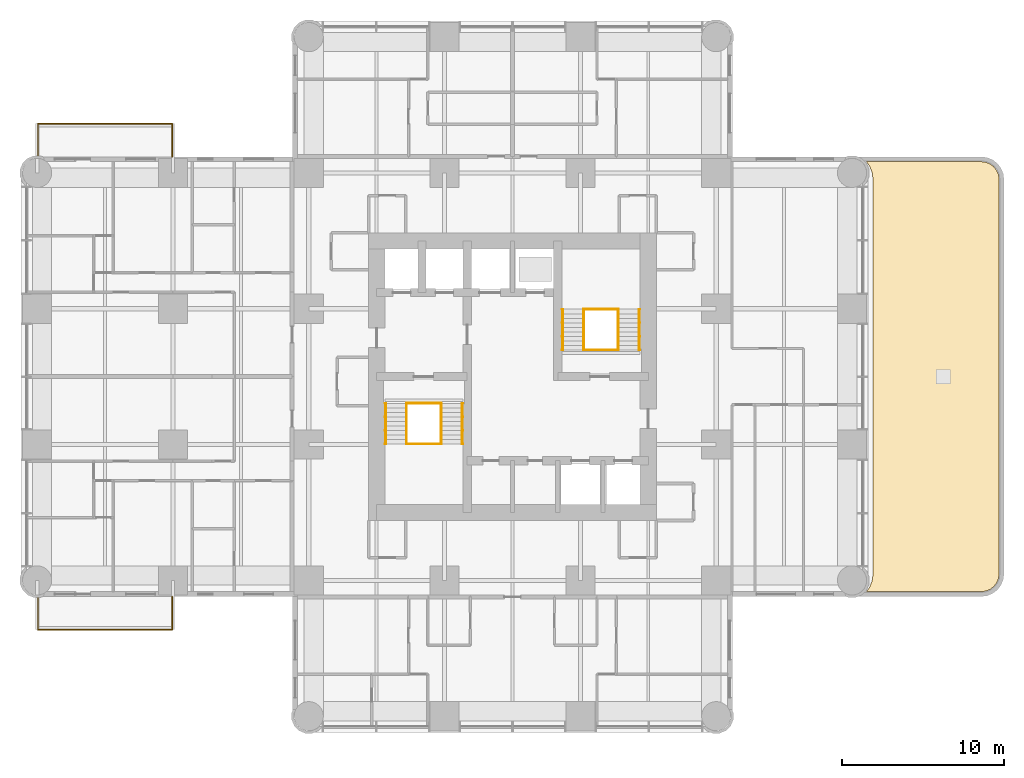
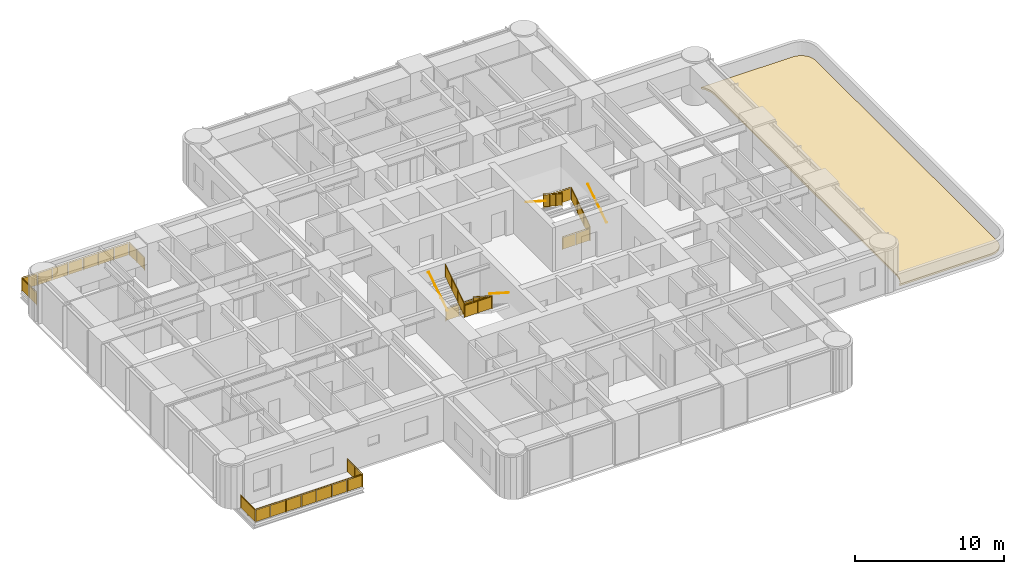
# One storey, part 11 of 12: 14 railings, 1 covering.
"""IFC4 building model written with IfcOpenShell, lengths in metres."""

import ifcopenshell
import ifcopenshell.guid

model = None  # the IFC model being written
_history = None  # IfcOwnerHistory: only IFC2X3 demands one
_inside = {}  # id of a spatial element -> (the spatial element, [elements in it])
_under = {}  # id of a project, library or spatial element -> (it, [spatial elements below it])
_declared = {}  # id of a project -> (the project, [libraries it declares])
_typed = {}  # id of a type object -> (the type object, [elements of that type])
_made_of = {}  # id of a material, layer set ... -> (it, [elements and type objects made of it])


def new_model(schema):
    """Start an empty IFC model of exactly this schema.

    Asked for "IFC4X3", IfcOpenShell would pick the latest addendum, in which some entities
    have other attributes; the version numbers below select the first issue.
    IFC2X3 requires an IfcOwnerHistory on every rooted entity: one is made here for all.
    """
    global model, _history
    if schema == "IFC4X3":
        model = ifcopenshell.file(schema_version=(4, 3, 0, 0))
    else:
        model = ifcopenshell.file(schema=schema)
    _inside.clear()
    _under.clear()
    _declared.clear()
    _typed.clear()
    _made_of.clear()
    _history = None
    if model.schema == "IFC2X3":
        org = make("IfcOrganization", Name="unknown")
        user = make(
            "IfcPersonAndOrganization",
            ThePerson=make("IfcPerson", FamilyName="unknown"),
            TheOrganization=org,
        )
        app = make(
            "IfcApplication",
            ApplicationDeveloper=org,
            Version="unknown",
            ApplicationFullName="unknown",
            ApplicationIdentifier="unknown",
        )
        _history = make(
            "IfcOwnerHistory",
            OwningUser=user,
            OwningApplication=app,
            ChangeAction="ADDED",
            CreationDate=0,
        )
    return model


def make(cls, **values):
    """One entity of the class cls with the attributes given. An attribute that is None is left unset."""
    return model.create_entity(
        cls, **{name: value for name, value in values.items() if value is not None}
    )


def rooted(cls, **values):
    """An entity with a GlobalId (a new one), such as an element, a storey or a relation."""
    return make(cls, GlobalId=ifcopenshell.guid.new(), OwnerHistory=_history, **values)


def si_unit(unit_type, name, prefix=None):
    """IfcSIUnit, for example si_unit("LENGTHUNIT", "METRE", prefix="MILLI")."""
    return make("IfcSIUnit", UnitType=unit_type, Prefix=prefix, Name=name)


def assignment(units):
    """IfcUnitAssignment: the units of a project."""
    return None if units is None else make("IfcUnitAssignment", Units=units)


def point(xyz):
    """IfcCartesianPoint."""
    return None if xyz is None else make("IfcCartesianPoint", Coordinates=xyz)


def direction(xyz):
    """IfcDirection."""
    return None if xyz is None else make("IfcDirection", DirectionRatios=xyz)


def frame(location, z_axis=None, x_axis=None):
    """IfcAxis2Placement3D, a coordinate frame: its origin and axes. An axis left out is left unset."""
    return make(
        "IfcAxis2Placement3D",
        Location=point(location),
        Axis=direction(z_axis),
        RefDirection=direction(x_axis),
    )


def frame_2d(location, x_axis=None):
    """IfcAxis2Placement2D, a coordinate frame in the plane: its origin and x axis."""
    return make(
        "IfcAxis2Placement2D", Location=point(location), RefDirection=direction(x_axis)
    )


def origin():
    """The frame at (0, 0, 0) with its axes left unset."""
    return frame((0.0, 0.0, 0.0))


def origin_2d():
    """The frame at (0, 0) in the plane with its x axis left unset."""
    return frame_2d((0.0, 0.0))


def place(relative_to, where):
    """IfcLocalPlacement: puts the frame where relative to a parent placement (None: the world)."""
    return make(
        "IfcLocalPlacement", PlacementRelTo=relative_to, RelativePlacement=where
    )


def context(
    kind, dimensions, precision=None, world=None, true_north=None, identifier=None
):
    """IfcGeometricRepresentationContext, for example the 3D "Model" context."""
    return make(
        "IfcGeometricRepresentationContext",
        ContextIdentifier=identifier,
        ContextType=kind,
        CoordinateSpaceDimension=dimensions,
        Precision=precision,
        WorldCoordinateSystem=world,
        TrueNorth=true_north,
    )


def subcontext(parent, identifier, kind, view, scale=None):
    """IfcGeometricRepresentationSubContext, for example "Body" below "Model"."""
    return make(
        "IfcGeometricRepresentationSubContext",
        ContextIdentifier=identifier,
        ContextType=kind,
        ParentContext=parent,
        TargetScale=scale,
        TargetView=view,
    )


def project(units=None, contexts=None):
    """IfcProject with its units and contexts."""
    return rooted(
        "IfcProject",
        Name="project",
        RepresentationContexts=contexts,
        UnitsInContext=assignment(units),
    )


def spatial(cls, under=None, at=None, **own):
    """A site, building, storey or space (cls), placed at a placement, below another one or the project."""
    s = rooted(cls, ObjectPlacement=at, **own)
    if under is not None:
        _under.setdefault(under.id(), (under, []))[1].append(s)
    return s


def polyline(points):
    """IfcPolyline through the points."""
    return make("IfcPolyline", Points=[point(p) for p in points])


def profile(cls, at=None, kind="AREA", **sizes):
    """A parametric profile (cls). Its sizes go by their IFC names, for example OverallWidth=200.0."""
    return make(cls, ProfileType=kind, Position=at, **sizes)


def circle(**sizes):
    """IfcCircleProfileDef."""
    return profile("IfcCircleProfileDef", **sizes)


def outline(outer, holes=None, kind="AREA"):
    """IfcArbitraryClosedProfileDef: a profile drawn as a closed curve; with holes, ...WithVoids."""
    if holes is None:
        return make("IfcArbitraryClosedProfileDef", ProfileType=kind, OuterCurve=outer)
    return make(
        "IfcArbitraryProfileDefWithVoids",
        ProfileType=kind,
        OuterCurve=outer,
        InnerCurves=holes,
    )


def extrude(swept, where, along, depth):
    """IfcExtrudedAreaSolid: the profile swept, set in the frame where, extruded along a direction by depth."""
    return make(
        "IfcExtrudedAreaSolid",
        SweptArea=swept,
        Position=where,
        ExtrudedDirection=direction(along),
        Depth=depth,
    )


def shape(context_of_items, identifier, shape_type, items):
    """IfcShapeRepresentation: the items that make up one representation, for example the "Body"."""
    return make(
        "IfcShapeRepresentation",
        ContextOfItems=context_of_items,
        RepresentationIdentifier=identifier,
        RepresentationType=shape_type,
        Items=items,
    )


def material(Name=None, Category=None):
    """IfcMaterial."""
    return make("IfcMaterial", Name=Name, Category=Category)


def layer(
    of_material, thickness, ventilated=None, Name=None, Category=None, Priority=None
):
    """IfcMaterialLayer: one layer of a wall or slab, of a material (None: an air gap)."""
    return make(
        "IfcMaterialLayer",
        Material=of_material,
        LayerThickness=thickness,
        IsVentilated=ventilated,
        Name=Name,
        Category=Category,
        Priority=Priority,
    )


def layer_set(layers, Name=None):
    """IfcMaterialLayerSet."""
    return make("IfcMaterialLayerSet", MaterialLayers=layers, LayerSetName=Name)


def constituent(of_material, Name=None, Category=None, fraction=None):
    """IfcMaterialConstituent: one of the materials an element consists of."""
    return make(
        "IfcMaterialConstituent",
        Name=Name,
        Material=of_material,
        Fraction=fraction,
        Category=Category,
    )


def constituent_set(constituents=None, Name=None):
    """IfcMaterialConstituentSet."""
    return make(
        "IfcMaterialConstituentSet", Name=Name, MaterialConstituents=constituents
    )


def made_of(thing, what):
    """Note that an element or type object is made of a material, layer set ...; save() writes the relation."""
    if what is not None:
        _made_of.setdefault(what.id(), (what, []))[1].append(thing)
    return thing


def type_object(cls, material=None, **own):
    """A type object (cls), such as IfcWallType, which elements share."""
    return made_of(rooted(cls, **own), material)


def element(
    cls,
    number,
    at=None,
    inside=None,
    cuts=None,
    type_object=None,
    material=None,
    context=None,
    identifier="Body",
    shape_type=None,
    held_by="IfcProductDefinitionShape",
    body=None,
    shapes=None,
    **own,
):
    """One element of the class cls, such as IfcWall. Its Tag is "e" and its number.

    at: its placement. inside: the storey or other place that contains it. cuts: it is an
    opening in that element (IfcRelVoidsElement). A single representation is given by context,
    identifier, shape_type and body (its items); several are given by shapes. held_by: the class
    of the entity that holds the representations. save() writes the other relations.
    """
    e = rooted(cls, Tag="e%d" % number, ObjectPlacement=at, **own)
    if body is not None:
        shapes = [shape(context, identifier, shape_type, body)]
    if shapes is not None:
        e.Representation = make(held_by, Representations=shapes)
    if inside is not None:
        _inside.setdefault(inside.id(), (inside, []))[1].append(e)
    if cuts is not None:
        rooted(
            "IfcRelVoidsElement", RelatingBuildingElement=cuts, RelatedOpeningElement=e
        )
    if type_object is not None:
        _typed.setdefault(type_object.id(), (type_object, []))[1].append(e)
    return made_of(e, material)


def aggregate(whole, parts):
    """IfcRelAggregates: a whole, such as a stair, and the parts it consists of."""
    return rooted("IfcRelAggregates", RelatingObject=whole, RelatedObjects=parts)


def save(model, path):
    """Write the relations noted so far, then the file.

    IfcRelAggregates (storeys below a building ...), IfcRelContainedInSpatialStructure (elements
    in a storey), IfcRelDefinesByType, IfcRelAssociatesMaterial and IfcRelDeclares: one each for
    every whole, place, type object, material and project.
    """
    for whole, parts in _under.values():
        aggregate(whole, parts)
    for where, things in _inside.values():
        rooted(
            "IfcRelContainedInSpatialStructure",
            RelatedElements=things,
            RelatingStructure=where,
        )
    for kind, things in _typed.values():
        rooted("IfcRelDefinesByType", RelatedObjects=things, RelatingType=kind)
    for what, things in _made_of.values():
        rooted("IfcRelAssociatesMaterial", RelatedObjects=things, RelatingMaterial=what)
    for by, libraries in _declared.values():
        rooted("IfcRelDeclares", RelatingContext=by, RelatedDefinitions=libraries)
    model.write(path)


model = new_model("IFC4")

# Units and contexts
model_context = context("Model", 3, precision=1e-05, world=origin(), true_north=direction((0.0, 1.0)))
body_context = subcontext(model_context, "Body", "Model", "MODEL_VIEW")
ifc_project = project(units=[si_unit("LENGTHUNIT", "METRE"), si_unit("AREAUNIT", "SQUARE_METRE"), si_unit("VOLUMEUNIT", "CUBIC_METRE"), si_unit("PLANEANGLEUNIT", "RADIAN"), si_unit("MASSUNIT", "GRAM", prefix="KILO")], contexts=[model_context])

# Site, building, storey
site_placement = place(None, origin())
site = spatial("IfcSite", under=ifc_project, at=site_placement, CompositionType="ELEMENT")
building_placement = place(site_placement, origin())
building = spatial("IfcBuilding", under=site, at=building_placement, Name="Torre Alcanfor", CompositionType="ELEMENT")
storey_placement = place(building_placement, frame((0.0, 0.0, 183.300048828125)))
storey = spatial("IfcBuildingStorey", under=building, at=storey_placement, Name="L47", CompositionType="ELEMENT", Elevation=183.300048828125)

# Railings
ifc_material_1 = material(Name="Laminated safety glass", Category="glass")
ifc_constituent_1 = constituent(ifc_material_1, Name="Infill")
ifc_material_2 = material(Name="Stainless steel ASTM A554 Grade MT 316L tube", Category="steel")
ifc_constituent_2 = constituent(ifc_material_2, Name="Posts and rail")
ifc_constituent_set = constituent_set(constituents=[ifc_constituent_1, ifc_constituent_2], Name="Balcony guard glass 1100")
railing_type_1 = type_object("IfcRailingType", Name="Balcony guard glass 1100", PredefinedType="BALUSTRADE", material=ifc_constituent_set)
railing_1_placement = place(storey_placement, frame((8.35009765625, 15.800048828125, 0.0)))
element("IfcRailing", 1, at=railing_1_placement, inside=storey, type_object=railing_type_1, Name="Balcony guard L47-W1", PredefinedType="BALUSTRADE", context=body_context, shape_type="SweptSolid", body=[
    extrude(circle(Radius=0.02392578125, at=origin_2d()), frame((0.0, 0.0, 1.076171875), z_axis=(0.0, -1.0, 0.0), x_axis=(1.0, 0.0, 0.0)), (0.0, 0.0, 1.0), 2.050048828125),
    extrude(circle(Radius=0.02392578125, at=origin_2d()), frame((0.0, -2.050048828125, 1.076171875), z_axis=(-1.0, 0.0, 0.0), x_axis=(0.0, -1.0, 0.0)), (0.0, 0.0, 1.0), 8.300048828125),
    extrude(circle(Radius=0.02392578125, at=origin_2d()), frame((-8.300048828125, -2.050048828125, 1.076171875), z_axis=(0.0, 1.0, 0.0), x_axis=(-1.0, 0.0, 0.0)), (0.0, 0.0, 1.0), 1.968994140625),
    extrude(circle(Radius=0.02099609375, at=origin_2d()), origin(), (0.0, 0.0, 1.0), 1.052001953125),
    extrude(circle(Radius=0.02099609375, at=origin_2d()), frame((0.0, -1.02490234375, 0.0)), (0.0, 0.0, 1.0), 1.052001953125),
    extrude(circle(Radius=0.02099609375, at=origin_2d()), frame((0.0, -2.050048828125, 0.0)), (0.0, 0.0, 1.0), 1.052001953125),
    extrude(circle(Radius=0.02099609375, at=origin_2d()), frame((-1.185791015625, -2.050048828125, 0.0)), (0.0, 0.0, 1.0), 1.052001953125),
    extrude(circle(Radius=0.02099609375, at=origin_2d()), frame((-2.371337890625, -2.050048828125, 0.0)), (0.0, 0.0, 1.0), 1.052001953125),
    extrude(circle(Radius=0.02099609375, at=origin_2d()), frame((-3.55712890625, -2.050048828125, 0.0)), (0.0, 0.0, 1.0), 1.052001953125),
    extrude(circle(Radius=0.02099609375, at=origin_2d()), frame((-4.742919921875, -2.050048828125, 0.0)), (0.0, 0.0, 1.0), 1.052001953125),
    extrude(circle(Radius=0.02099609375, at=origin_2d()), frame((-5.9287109375, -2.050048828125, 0.0)), (0.0, 0.0, 1.0), 1.052001953125),
    extrude(circle(Radius=0.02099609375, at=origin_2d()), frame((-7.1142578125, -2.050048828125, 0.0)), (0.0, 0.0, 1.0), 1.052001953125),
    extrude(circle(Radius=0.02099609375, at=origin_2d()), frame((-8.300048828125, -2.050048828125, 0.0)), (0.0, 0.0, 1.0), 1.052001953125),
    extrude(circle(Radius=0.02099609375, at=origin_2d()), frame((-8.300048828125, -1.0654296875, 0.0)), (0.0, 0.0, 1.0), 1.052001953125),
    extrude(circle(Radius=0.02099609375, at=origin_2d()), frame((-8.300048828125, -0.0810546875, 0.0)), (0.0, 0.0, 1.0), 1.052001953125),
    extrude(outline(polyline([(0.041015625, 0.050048828125), (0.984130859375, 0.050048828125), (0.984130859375, 1.001953125), (0.041015625, 1.001953125), (0.041015625, 0.050048828125)])), frame((0.005859375, 0.0, 0.0), z_axis=(-1.0, 0.0, 0.0), x_axis=(0.0, -1.0, 0.0)), (0.0, 0.0, 1.0), 0.011962890625),
    extrude(outline(polyline([(1.06591796875, 0.050048828125), (2.009033203125, 0.050048828125), (2.009033203125, 1.001953125), (1.06591796875, 1.001953125), (1.06591796875, 0.050048828125)])), frame((0.005859375, 0.0, 0.0), z_axis=(-1.0, 0.0, 0.0), x_axis=(0.0, -1.0, 0.0)), (0.0, 0.0, 1.0), 0.011962890625),
    extrude(outline(polyline([(0.041015625, 0.050048828125), (1.144775390625, 0.050048828125), (1.144775390625, 1.001953125), (0.041015625, 1.001953125), (0.041015625, 0.050048828125)])), frame((0.0, -2.05615234375, 0.0), z_axis=(0.0, 1.0, 0.0), x_axis=(-1.0, 0.0, 0.0)), (0.0, 0.0, 1.0), 0.011962890625),
    extrude(outline(polyline([(1.226806640625, 0.050048828125), (2.330322265625, 0.050048828125), (2.330322265625, 1.001953125), (1.226806640625, 1.001953125), (1.226806640625, 0.050048828125)])), frame((0.0, -2.05615234375, 0.0), z_axis=(0.0, 1.0, 0.0), x_axis=(-1.0, 0.0, 0.0)), (0.0, 0.0, 1.0), 0.011962890625),
    extrude(outline(polyline([(2.412353515625, 0.050048828125), (3.51611328125, 0.050048828125), (3.51611328125, 1.001953125), (2.412353515625, 1.001953125), (2.412353515625, 0.050048828125)])), frame((0.0, -2.05615234375, 0.0), z_axis=(0.0, 1.0, 0.0), x_axis=(-1.0, 0.0, 0.0)), (0.0, 0.0, 1.0), 0.011962890625),
    extrude(outline(polyline([(3.59814453125, 0.050048828125), (4.701904296875, 0.050048828125), (4.701904296875, 1.001953125), (3.59814453125, 1.001953125), (3.59814453125, 0.050048828125)])), frame((0.0, -2.05615234375, 0.0), z_axis=(0.0, 1.0, 0.0), x_axis=(-1.0, 0.0, 0.0)), (0.0, 0.0, 1.0), 0.011962890625),
    extrude(outline(polyline([(4.783935546875, 0.050048828125), (5.8876953125, 0.050048828125), (5.8876953125, 1.001953125), (4.783935546875, 1.001953125), (4.783935546875, 0.050048828125)])), frame((0.0, -2.05615234375, 0.0), z_axis=(0.0, 1.0, 0.0), x_axis=(-1.0, 0.0, 0.0)), (0.0, 0.0, 1.0), 0.011962890625),
    extrude(outline(polyline([(5.9697265625, 0.050048828125), (7.0732421875, 0.050048828125), (7.0732421875, 1.001953125), (5.9697265625, 1.001953125), (5.9697265625, 0.050048828125)])), frame((0.0, -2.05615234375, 0.0), z_axis=(0.0, 1.0, 0.0), x_axis=(-1.0, 0.0, 0.0)), (0.0, 0.0, 1.0), 0.011962890625),
    extrude(outline(polyline([(7.1552734375, 0.050048828125), (8.259033203125, 0.050048828125), (8.259033203125, 1.001953125), (7.1552734375, 1.001953125), (7.1552734375, 0.050048828125)])), frame((0.0, -2.05615234375, 0.0), z_axis=(0.0, 1.0, 0.0), x_axis=(-1.0, 0.0, 0.0)), (0.0, 0.0, 1.0), 0.011962890625),
    extrude(outline(polyline([(0.041015625, 0.050048828125), (0.943603515625, 0.050048828125), (0.943603515625, 1.001953125), (0.041015625, 1.001953125), (0.041015625, 0.050048828125)])), frame((-8.30615234375, -2.050048828125, 0.0), z_axis=(1.0, 0.0, 0.0), x_axis=(0.0, 1.0, 0.0)), (0.0, 0.0, 1.0), 0.011962890625),
    extrude(outline(polyline([(1.025390625, 0.050048828125), (1.927978515625, 0.050048828125), (1.927978515625, 1.001953125), (1.025390625, 1.001953125), (1.025390625, 0.050048828125)])), frame((-8.30615234375, -2.050048828125, 0.0), z_axis=(1.0, 0.0, 0.0), x_axis=(0.0, 1.0, 0.0)), (0.0, 0.0, 1.0), 0.011962890625),
])
railing_2_placement = place(storey_placement, frame((8.35009765625, 43.0, 0.0)))
element("IfcRailing", 2, at=railing_2_placement, inside=storey, type_object=railing_type_1, Name="Balcony guard L47-W2", PredefinedType="BALUSTRADE", context=body_context, shape_type="SweptSolid", body=[
    extrude(circle(Radius=0.02392578125, at=origin_2d()), frame((0.0, 0.0, 1.076171875), z_axis=(0.0, 1.0, 0.0), x_axis=(-1.0, 0.0, 0.0)), (0.0, 0.0, 1.0), 2.050048828125),
    extrude(circle(Radius=0.02392578125, at=origin_2d()), frame((0.0, 2.050048828125, 1.076171875), z_axis=(-1.0, 0.0, 0.0), x_axis=(0.0, -1.0, 0.0)), (0.0, 0.0, 1.0), 8.300048828125),
    extrude(circle(Radius=0.02392578125, at=origin_2d()), frame((-8.300048828125, 2.050048828125, 1.076171875), z_axis=(0.0, -1.0, 0.0), x_axis=(1.0, 0.0, 0.0)), (0.0, 0.0, 1.0), 1.968994140625),
    extrude(circle(Radius=0.02099609375, at=origin_2d()), origin(), (0.0, 0.0, 1.0), 1.052001953125),
    extrude(circle(Radius=0.02099609375, at=origin_2d()), frame((0.0, 1.02490234375, 0.0)), (0.0, 0.0, 1.0), 1.052001953125),
    extrude(circle(Radius=0.02099609375, at=origin_2d()), frame((0.0, 2.050048828125, 0.0)), (0.0, 0.0, 1.0), 1.052001953125),
    extrude(circle(Radius=0.02099609375, at=origin_2d()), frame((-1.185791015625, 2.050048828125, 0.0)), (0.0, 0.0, 1.0), 1.052001953125),
    extrude(circle(Radius=0.02099609375, at=origin_2d()), frame((-2.371337890625, 2.050048828125, 0.0)), (0.0, 0.0, 1.0), 1.052001953125),
    extrude(circle(Radius=0.02099609375, at=origin_2d()), frame((-3.55712890625, 2.050048828125, 0.0)), (0.0, 0.0, 1.0), 1.052001953125),
    extrude(circle(Radius=0.02099609375, at=origin_2d()), frame((-4.742919921875, 2.050048828125, 0.0)), (0.0, 0.0, 1.0), 1.052001953125),
    extrude(circle(Radius=0.02099609375, at=origin_2d()), frame((-5.9287109375, 2.050048828125, 0.0)), (0.0, 0.0, 1.0), 1.052001953125),
    extrude(circle(Radius=0.02099609375, at=origin_2d()), frame((-7.1142578125, 2.050048828125, 0.0)), (0.0, 0.0, 1.0), 1.052001953125),
    extrude(circle(Radius=0.02099609375, at=origin_2d()), frame((-8.300048828125, 2.050048828125, 0.0)), (0.0, 0.0, 1.0), 1.052001953125),
    extrude(circle(Radius=0.02099609375, at=origin_2d()), frame((-8.300048828125, 1.0654296875, 0.0)), (0.0, 0.0, 1.0), 1.052001953125),
    extrude(circle(Radius=0.02099609375, at=origin_2d()), frame((-8.300048828125, 0.0810546875, 0.0)), (0.0, 0.0, 1.0), 1.052001953125),
    extrude(outline(polyline([(0.041015625, 0.050048828125), (0.984130859375, 0.050048828125), (0.984130859375, 1.001953125), (0.041015625, 1.001953125), (0.041015625, 0.050048828125)])), frame((-0.005859375, 0.0, 0.0), z_axis=(1.0, 0.0, 0.0), x_axis=(0.0, 1.0, 0.0)), (0.0, 0.0, 1.0), 0.011962890625),
    extrude(outline(polyline([(1.06591796875, 0.050048828125), (2.009033203125, 0.050048828125), (2.009033203125, 1.001953125), (1.06591796875, 1.001953125), (1.06591796875, 0.050048828125)])), frame((-0.005859375, 0.0, 0.0), z_axis=(1.0, 0.0, 0.0), x_axis=(0.0, 1.0, 0.0)), (0.0, 0.0, 1.0), 0.011962890625),
    extrude(outline(polyline([(0.041015625, 0.050048828125), (1.144775390625, 0.050048828125), (1.144775390625, 1.001953125), (0.041015625, 1.001953125), (0.041015625, 0.050048828125)])), frame((0.0, 2.0439453125, 0.0), z_axis=(0.0, 1.0, 0.0), x_axis=(-1.0, 0.0, 0.0)), (0.0, 0.0, 1.0), 0.011962890625),
    extrude(outline(polyline([(1.226806640625, 0.050048828125), (2.330322265625, 0.050048828125), (2.330322265625, 1.001953125), (1.226806640625, 1.001953125), (1.226806640625, 0.050048828125)])), frame((0.0, 2.0439453125, 0.0), z_axis=(0.0, 1.0, 0.0), x_axis=(-1.0, 0.0, 0.0)), (0.0, 0.0, 1.0), 0.011962890625),
    extrude(outline(polyline([(2.412353515625, 0.050048828125), (3.51611328125, 0.050048828125), (3.51611328125, 1.001953125), (2.412353515625, 1.001953125), (2.412353515625, 0.050048828125)])), frame((0.0, 2.0439453125, 0.0), z_axis=(0.0, 1.0, 0.0), x_axis=(-1.0, 0.0, 0.0)), (0.0, 0.0, 1.0), 0.011962890625),
    extrude(outline(polyline([(3.59814453125, 0.050048828125), (4.701904296875, 0.050048828125), (4.701904296875, 1.001953125), (3.59814453125, 1.001953125), (3.59814453125, 0.050048828125)])), frame((0.0, 2.0439453125, 0.0), z_axis=(0.0, 1.0, 0.0), x_axis=(-1.0, 0.0, 0.0)), (0.0, 0.0, 1.0), 0.011962890625),
    extrude(outline(polyline([(4.783935546875, 0.050048828125), (5.8876953125, 0.050048828125), (5.8876953125, 1.001953125), (4.783935546875, 1.001953125), (4.783935546875, 0.050048828125)])), frame((0.0, 2.0439453125, 0.0), z_axis=(0.0, 1.0, 0.0), x_axis=(-1.0, 0.0, 0.0)), (0.0, 0.0, 1.0), 0.011962890625),
    extrude(outline(polyline([(5.9697265625, 0.050048828125), (7.0732421875, 0.050048828125), (7.0732421875, 1.001953125), (5.9697265625, 1.001953125), (5.9697265625, 0.050048828125)])), frame((0.0, 2.0439453125, 0.0), z_axis=(0.0, 1.0, 0.0), x_axis=(-1.0, 0.0, 0.0)), (0.0, 0.0, 1.0), 0.011962890625),
    extrude(outline(polyline([(7.1552734375, 0.050048828125), (8.259033203125, 0.050048828125), (8.259033203125, 1.001953125), (7.1552734375, 1.001953125), (7.1552734375, 0.050048828125)])), frame((0.0, 2.0439453125, 0.0), z_axis=(0.0, 1.0, 0.0), x_axis=(-1.0, 0.0, 0.0)), (0.0, 0.0, 1.0), 0.011962890625),
    extrude(outline(polyline([(0.041015625, 0.050048828125), (0.943603515625, 0.050048828125), (0.943603515625, 1.001953125), (0.041015625, 1.001953125), (0.041015625, 0.050048828125)])), frame((-8.2939453125, 2.050048828125, 0.0), z_axis=(-1.0, 0.0, 0.0), x_axis=(0.0, -1.0, 0.0)), (0.0, 0.0, 1.0), 0.011962890625),
    extrude(outline(polyline([(1.025390625, 0.050048828125), (1.927978515625, 0.050048828125), (1.927978515625, 1.001953125), (1.025390625, 1.001953125), (1.025390625, 0.050048828125)])), frame((-8.2939453125, 2.050048828125, 0.0), z_axis=(-1.0, 0.0, 0.0), x_axis=(0.0, -1.0, 0.0)), (0.0, 0.0, 1.0), 0.011962890625),
])

# Covering
ifc_material_3 = material(Name="Growing medium on drainage board and waterproofing", Category="masonry")
ifc_layer = layer(ifc_material_3, 0.14990234375)
ifc_layer_set = layer_set([ifc_layer], Name="Planted roof build-up 150")
covering_type = type_object("IfcCoveringType", Name="Planted roof build-up 150", PredefinedType="ROOFING", material=ifc_layer_set)
covering_placement = place(storey_placement, origin())
element("IfcCovering", 3, at=covering_placement, inside=storey, type_object=covering_type, Name="Planted maintenance roof L47 1", PredefinedType="ROOFING", context=body_context, shape_type="SweptSolid", body=[
    extrude(outline(polyline([(51.28369140625, 42.699951171875), (58.38037109375, 42.699951171875), (58.68408203125, 42.659912109375), (58.94873046875, 42.55029296875), (59.176025390625, 42.3759765625), (59.350341796875, 42.148681640625), (59.4599609375, 41.884033203125), (59.5, 41.580322265625), (59.5, 17.2197265625), (59.4599609375, 16.916015625), (59.350341796875, 16.6513671875), (59.176025390625, 16.424072265625), (58.94873046875, 16.249755859375), (58.68408203125, 16.139892578125), (58.38037109375, 16.10009765625), (51.28369140625, 16.10009765625), (51.474365234375, 16.3486328125), (51.64453125, 16.75927734375), (51.699951171875, 17.180419921875), (51.699951171875, 41.61962890625), (51.64453125, 42.04052734375), (51.474365234375, 42.451416015625), (51.28369140625, 42.699951171875)])), origin(), (0.0, 0.0, 1.0), 0.14990234375),
])

# Railings
ifc_material_4 = material(Name="Steel ASTM A500 Grade C hollow sections", Category="steel")
railing_type_2 = type_object("IfcRailingType", Name="Stair guard and handrail 1100", PredefinedType="GUARDRAIL", material=ifc_material_4)
railing_3_placement = place(storey_placement, frame((25.0, 27.75, 0.179931640625)))
element("IfcRailing", 4, at=railing_3_placement, inside=storey, type_object=railing_type_2, Name="Stair guard S1 L47 flight 1", PredefinedType="GUARDRAIL", context=body_context, shape_type="SweptSolid", body=[
    extrude(circle(Radius=0.02392578125, at=origin_2d()), frame((0.0, 0.0, 1.076171875), z_axis=(0.0, -0.841162588446, 0.540782303519), x_axis=(1.0, 0.0, 0.0)), (0.0, 0.0, 1.0), 2.995849609375),
    extrude(circle(Radius=0.02099609375, at=origin_2d()), origin(), (0.0, 0.0, 1.0), 1.052001953125),
    extrude(circle(Radius=0.02099609375, at=origin_2d()), frame((0.0, -0.840087890625, 0.5400390625)), (0.0, 0.0, 1.0), 1.052001953125),
    extrude(circle(Radius=0.02099609375, at=origin_2d()), frame((0.0, -1.679931640625, 1.080078125)), (0.0, 0.0, 1.0), 1.052001953125),
    extrude(circle(Radius=0.02099609375, at=origin_2d()), frame((0.0, -2.52001953125, 1.6201171875)), (0.0, 0.0, 1.0), 1.052001953125),
    extrude(outline(polyline([(0.041015625, 0.076416015625), (0.799072265625, 0.563720703125), (0.799072265625, 1.515625), (0.041015625, 1.0283203125), (0.041015625, 0.076416015625)])), frame((0.005859375, 0.0, 0.0), z_axis=(-1.0, 0.0, 0.0), x_axis=(0.0, -1.0, 0.0)), (0.0, 0.0, 1.0), 0.011962890625),
    extrude(outline(polyline([(0.881103515625, 0.616455078125), (1.638916015625, 1.103759765625), (1.638916015625, 2.0556640625), (0.881103515625, 1.568359375), (0.881103515625, 0.616455078125)])), frame((0.005859375, 0.0, 0.0), z_axis=(-1.0, 0.0, 0.0), x_axis=(0.0, -1.0, 0.0)), (0.0, 0.0, 1.0), 0.011962890625),
    extrude(outline(polyline([(1.720947265625, 1.156494140625), (2.47900390625, 1.643798828125), (2.47900390625, 2.595703125), (1.720947265625, 2.1083984375), (1.720947265625, 1.156494140625)])), frame((0.005859375, 0.0, 0.0), z_axis=(-1.0, 0.0, 0.0), x_axis=(0.0, -1.0, 0.0)), (0.0, 0.0, 1.0), 0.011962890625),
])
railing_4_placement = place(storey_placement, frame((22.85009765625, 25.22998046875, 1.97998046875)))
element("IfcRailing", 5, at=railing_4_placement, inside=storey, type_object=railing_type_2, Name="Stair guard S1 L47 flight 2", PredefinedType="GUARDRAIL", context=body_context, shape_type="SweptSolid", body=[
    extrude(circle(Radius=0.02392578125, at=origin_2d()), frame((0.0, 0.0, 1.076171875), z_axis=(0.0, 0.841199657755, 0.540724639528), x_axis=(-1.0, 0.0, 0.0)), (0.0, 0.0, 1.0), 2.995849609375),
    extrude(circle(Radius=0.02099609375, at=origin_2d()), origin(), (0.0, 0.0, 1.0), 1.052001953125),
    extrude(circle(Radius=0.02099609375, at=origin_2d()), frame((0.0, 0.840087890625, 0.5400390625)), (0.0, 0.0, 1.0), 1.052001953125),
    extrude(circle(Radius=0.02099609375, at=origin_2d()), frame((0.0, 1.679931640625, 1.079833984375)), (0.0, 0.0, 1.0), 1.052001953125),
    extrude(circle(Radius=0.02099609375, at=origin_2d()), frame((0.0, 2.52001953125, 1.619873046875)), (0.0, 0.0, 1.0), 1.052001953125),
    extrude(outline(polyline([(0.041015625, 0.076416015625), (0.799072265625, 0.563720703125), (0.799072265625, 1.515625), (0.041015625, 1.0283203125), (0.041015625, 0.076416015625)])), frame((-0.005859375, 0.0, 0.0), z_axis=(1.0, 0.0, 0.0), x_axis=(0.0, 1.0, 0.0)), (0.0, 0.0, 1.0), 0.011962890625),
    extrude(outline(polyline([(0.881103515625, 0.6162109375), (1.638916015625, 1.103515625), (1.638916015625, 2.0556640625), (0.881103515625, 1.568359375), (0.881103515625, 0.6162109375)])), frame((-0.005859375, 0.0, 0.0), z_axis=(1.0, 0.0, 0.0), x_axis=(0.0, 1.0, 0.0)), (0.0, 0.0, 1.0), 0.011962890625),
    extrude(outline(polyline([(1.720947265625, 1.15625), (2.47900390625, 1.6435546875), (2.47900390625, 2.595458984375), (1.720947265625, 2.108154296875), (1.720947265625, 1.15625)])), frame((-0.005859375, 0.0, 0.0), z_axis=(1.0, 0.0, 0.0), x_axis=(0.0, 1.0, 0.0)), (0.0, 0.0, 1.0), 0.011962890625),
])
for number, where, name in (
    (6, (22.85009765625, 27.75, 0.0), "Stair well guard S1 L47 floor landing"),
    (7, (22.85009765625, 25.22998046875, 1.800048828125), "Stair well guard S1 L47 half landing"),
):
    element("IfcRailing", number, at=place(storey_placement, frame(where)), inside=storey, type_object=railing_type_2, Name=name, PredefinedType="GUARDRAIL", context=body_context, shape_type="SweptSolid", body=[
        extrude(circle(Radius=0.02392578125, at=origin_2d()), frame((0.0, 0.0, 1.076171875), z_axis=(1.0, 0.0, 0.0), x_axis=(0.0, 1.0, 0.0)), (0.0, 0.0, 1.0), 2.14990234375),
        extrude(circle(Radius=0.02099609375, at=origin_2d()), origin(), (0.0, 0.0, 1.0), 1.052001953125),
        extrude(circle(Radius=0.02099609375, at=origin_2d()), frame((1.074951171875, 0.0, 0.0)), (0.0, 0.0, 1.0), 1.052001953125),
        extrude(circle(Radius=0.02099609375, at=origin_2d()), frame((2.14990234375, 0.0, 0.0)), (0.0, 0.0, 1.0), 1.052001953125),
        extrude(outline(polyline([(0.041015625, 0.050048828125), (1.033935546875, 0.050048828125), (1.033935546875, 1.001953125), (0.041015625, 1.001953125), (0.041015625, 0.050048828125)])), frame((0.0, 0.005859375, 0.0), z_axis=(0.0, -1.0, 0.0), x_axis=(1.0, 0.0, 0.0)), (0.0, 0.0, 1.0), 0.011962890625),
        extrude(outline(polyline([(1.115966796875, 0.050048828125), (2.10888671875, 0.050048828125), (2.10888671875, 1.001953125), (1.115966796875, 1.001953125), (1.115966796875, 0.050048828125)])), frame((0.0, 0.005859375, 0.0), z_axis=(0.0, -1.0, 0.0), x_axis=(1.0, 0.0, 0.0)), (0.0, 0.0, 1.0), 0.011962890625),
    ])
railing_5_placement = place(storey_placement, frame((35.949951171875, 31.050048828125, 0.179931640625)))
element("IfcRailing", 8, at=railing_5_placement, inside=storey, type_object=railing_type_2, Name="Stair guard S2 L47 flight 1", PredefinedType="GUARDRAIL", context=body_context, shape_type="SweptSolid", body=[
    extrude(circle(Radius=0.02392578125, at=origin_2d()), frame((0.0, 0.0, 1.076171875), z_axis=(0.0, 0.841162588446, 0.540782303519), x_axis=(-1.0, 0.0, 0.0)), (0.0, 0.0, 1.0), 2.995849609375),
    extrude(circle(Radius=0.02099609375, at=origin_2d()), origin(), (0.0, 0.0, 1.0), 1.052001953125),
    extrude(circle(Radius=0.02099609375, at=origin_2d()), frame((0.0, 0.840087890625, 0.5400390625)), (0.0, 0.0, 1.0), 1.052001953125),
    extrude(circle(Radius=0.02099609375, at=origin_2d()), frame((0.0, 1.679931640625, 1.080078125)), (0.0, 0.0, 1.0), 1.052001953125),
    extrude(circle(Radius=0.02099609375, at=origin_2d()), frame((0.0, 2.52001953125, 1.6201171875)), (0.0, 0.0, 1.0), 1.052001953125),
    extrude(outline(polyline([(0.041015625, 0.076416015625), (0.799072265625, 0.563720703125), (0.799072265625, 1.515625), (0.041015625, 1.0283203125), (0.041015625, 0.076416015625)])), frame((-0.005859375, 0.0, 0.0), z_axis=(1.0, 0.0, 0.0), x_axis=(0.0, 1.0, 0.0)), (0.0, 0.0, 1.0), 0.011962890625),
    extrude(outline(polyline([(0.881103515625, 0.616455078125), (1.638916015625, 1.103759765625), (1.638916015625, 2.0556640625), (0.881103515625, 1.568359375), (0.881103515625, 0.616455078125)])), frame((-0.005859375, 0.0, 0.0), z_axis=(1.0, 0.0, 0.0), x_axis=(0.0, 1.0, 0.0)), (0.0, 0.0, 1.0), 0.011962890625),
    extrude(outline(polyline([(1.720947265625, 1.156494140625), (2.47900390625, 1.643798828125), (2.47900390625, 2.595703125), (1.720947265625, 2.1083984375), (1.720947265625, 1.156494140625)])), frame((-0.005859375, 0.0, 0.0), z_axis=(1.0, 0.0, 0.0), x_axis=(0.0, 1.0, 0.0)), (0.0, 0.0, 1.0), 0.011962890625),
])
railing_6_placement = place(storey_placement, frame((33.800048828125, 33.570068359375, 1.97998046875)))
element("IfcRailing", 9, at=railing_6_placement, inside=storey, type_object=railing_type_2, Name="Stair guard S2 L47 flight 2", PredefinedType="GUARDRAIL", context=body_context, shape_type="SweptSolid", body=[
    extrude(circle(Radius=0.02392578125, at=origin_2d()), frame((0.0, 0.0, 1.076171875), z_axis=(0.0, -0.841199657755, 0.540724639528), x_axis=(1.0, 0.0, 0.0)), (0.0, 0.0, 1.0), 2.995849609375),
    extrude(circle(Radius=0.02099609375, at=origin_2d()), origin(), (0.0, 0.0, 1.0), 1.052001953125),
    extrude(circle(Radius=0.02099609375, at=origin_2d()), frame((0.0, -0.840087890625, 0.5400390625)), (0.0, 0.0, 1.0), 1.052001953125),
    extrude(circle(Radius=0.02099609375, at=origin_2d()), frame((0.0, -1.679931640625, 1.079833984375)), (0.0, 0.0, 1.0), 1.052001953125),
    extrude(circle(Radius=0.02099609375, at=origin_2d()), frame((0.0, -2.52001953125, 1.619873046875)), (0.0, 0.0, 1.0), 1.052001953125),
    extrude(outline(polyline([(0.041015625, 0.076416015625), (0.799072265625, 0.563720703125), (0.799072265625, 1.515625), (0.041015625, 1.0283203125), (0.041015625, 0.076416015625)])), frame((0.005859375, 0.0, 0.0), z_axis=(-1.0, 0.0, 0.0), x_axis=(0.0, -1.0, 0.0)), (0.0, 0.0, 1.0), 0.011962890625),
    extrude(outline(polyline([(0.881103515625, 0.6162109375), (1.638916015625, 1.103515625), (1.638916015625, 2.0556640625), (0.881103515625, 1.568359375), (0.881103515625, 0.6162109375)])), frame((0.005859375, 0.0, 0.0), z_axis=(-1.0, 0.0, 0.0), x_axis=(0.0, -1.0, 0.0)), (0.0, 0.0, 1.0), 0.011962890625),
    extrude(outline(polyline([(1.720947265625, 1.15625), (2.47900390625, 1.6435546875), (2.47900390625, 2.595458984375), (1.720947265625, 2.108154296875), (1.720947265625, 1.15625)])), frame((0.005859375, 0.0, 0.0), z_axis=(-1.0, 0.0, 0.0), x_axis=(0.0, -1.0, 0.0)), (0.0, 0.0, 1.0), 0.011962890625),
])
for number, where, name in (
    (10, (33.800048828125, 31.050048828125, 0.0), "Stair well guard S2 L47 floor landing"),
    (11, (33.800048828125, 33.570068359375, 1.800048828125), "Stair well guard S2 L47 half landing"),
):
    element("IfcRailing", number, at=place(storey_placement, frame(where)), inside=storey, type_object=railing_type_2, Name=name, PredefinedType="GUARDRAIL", context=body_context, shape_type="SweptSolid", body=[
        extrude(circle(Radius=0.02392578125, at=origin_2d()), frame((0.0, 0.0, 1.076171875), z_axis=(1.0, 0.0, 0.0), x_axis=(0.0, 1.0, 0.0)), (0.0, 0.0, 1.0), 2.14990234375),
        extrude(circle(Radius=0.02099609375, at=origin_2d()), origin(), (0.0, 0.0, 1.0), 1.052001953125),
        extrude(circle(Radius=0.02099609375, at=origin_2d()), frame((1.074951171875, 0.0, 0.0)), (0.0, 0.0, 1.0), 1.052001953125),
        extrude(circle(Radius=0.02099609375, at=origin_2d()), frame((2.14990234375, 0.0, 0.0)), (0.0, 0.0, 1.0), 1.052001953125),
        extrude(outline(polyline([(0.041015625, 0.050048828125), (1.033935546875, 0.050048828125), (1.033935546875, 1.001953125), (0.041015625, 1.001953125), (0.041015625, 0.050048828125)])), frame((0.0, 0.005859375, 0.0), z_axis=(0.0, -1.0, 0.0), x_axis=(1.0, 0.0, 0.0)), (0.0, 0.0, 1.0), 0.011962890625),
        extrude(outline(polyline([(1.115966796875, 0.050048828125), (2.10888671875, 0.050048828125), (2.10888671875, 1.001953125), (1.115966796875, 1.001953125), (1.115966796875, 0.050048828125)])), frame((0.0, 0.005859375, 0.0), z_axis=(0.0, -1.0, 0.0), x_axis=(1.0, 0.0, 0.0)), (0.0, 0.0, 1.0), 0.011962890625),
    ])
ifc_material_5 = material(Name="Steel ASTM A500 Grade C hollow sections", Category="steel")
railing_type_3 = type_object("IfcRailingType", Name="Stair wall handrail 900", PredefinedType="HANDRAIL", material=ifc_material_5)
railing_7_placement = place(storey_placement, frame((26.284912109375, 27.75, 0.179931640625)))
element("IfcRailing", 12, at=railing_7_placement, inside=storey, type_object=railing_type_3, Name="Stair handrail S1 L47 flight 1", PredefinedType="HANDRAIL", context=body_context, shape_type="SweptSolid", body=[
    extrude(circle(Radius=0.02392578125, at=origin_2d()), frame((0.0, 0.0, 0.8759765625), z_axis=(0.0, -0.841162588446, 0.540782303519), x_axis=(1.0, 0.0, 0.0)), (0.0, 0.0, 1.0), 2.995849609375),
    extrude(circle(Radius=0.008056640625, at=origin_2d()), frame((0.0, 0.0, 0.8759765625), z_axis=(1.0, 0.0, 0.0), x_axis=(0.0, 0.0, 1.0)), (0.0, 0.0, 1.0), 0.06494140625),
    extrude(circle(Radius=0.008056640625, at=origin_2d()), frame((0.0, -0.840087890625, 1.416015625), z_axis=(1.0, 0.0, 0.0), x_axis=(0.0, 0.0, 1.0)), (0.0, 0.0, 1.0), 0.06494140625),
    extrude(circle(Radius=0.008056640625, at=origin_2d()), frame((0.0, -1.679931640625, 1.9560546875), z_axis=(1.0, 0.0, 0.0), x_axis=(0.0, 0.0, 1.0)), (0.0, 0.0, 1.0), 0.06494140625),
    extrude(circle(Radius=0.008056640625, at=origin_2d()), frame((0.0, -2.52001953125, 2.49609375), z_axis=(1.0, 0.0, 0.0), x_axis=(0.0, 0.0, 1.0)), (0.0, 0.0, 1.0), 0.06494140625),
])
railing_8_placement = place(storey_placement, frame((21.56494140625, 25.22998046875, 1.97998046875)))
element("IfcRailing", 13, at=railing_8_placement, inside=storey, type_object=railing_type_3, Name="Stair handrail S1 L47 flight 2", PredefinedType="HANDRAIL", context=body_context, shape_type="SweptSolid", body=[
    extrude(circle(Radius=0.02392578125, at=origin_2d()), frame((0.0, 0.0, 0.8759765625), z_axis=(0.0, 0.841199657755, 0.540724639528), x_axis=(-1.0, 0.0, 0.0)), (0.0, 0.0, 1.0), 2.995849609375),
    extrude(circle(Radius=0.008056640625, at=origin_2d()), frame((0.0, 0.0, 0.8759765625), z_axis=(-1.0, 0.0, 0.0), x_axis=(0.0, 0.0, 1.0)), (0.0, 0.0, 1.0), 0.06494140625),
    extrude(circle(Radius=0.008056640625, at=origin_2d()), frame((0.0, 0.840087890625, 1.415771484375), z_axis=(-1.0, 0.0, 0.0), x_axis=(0.0, 0.0, 1.0)), (0.0, 0.0, 1.0), 0.06494140625),
    extrude(circle(Radius=0.008056640625, at=origin_2d()), frame((0.0, 1.679931640625, 1.955810546875), z_axis=(-1.0, 0.0, 0.0), x_axis=(0.0, 0.0, 1.0)), (0.0, 0.0, 1.0), 0.06494140625),
    extrude(circle(Radius=0.008056640625, at=origin_2d()), frame((0.0, 2.52001953125, 2.49560546875), z_axis=(-1.0, 0.0, 0.0), x_axis=(0.0, 0.0, 1.0)), (0.0, 0.0, 1.0), 0.06494140625),
])
railing_9_placement = place(storey_placement, frame((37.235107421875, 31.050048828125, 0.179931640625)))
element("IfcRailing", 14, at=railing_9_placement, inside=storey, type_object=railing_type_3, Name="Stair handrail S2 L47 flight 1", PredefinedType="HANDRAIL", context=body_context, shape_type="SweptSolid", body=[
    extrude(circle(Radius=0.02392578125, at=origin_2d()), frame((0.0, 0.0, 0.8759765625), z_axis=(0.0, 0.841162588446, 0.540782303519), x_axis=(-1.0, 0.0, 0.0)), (0.0, 0.0, 1.0), 2.995849609375),
    extrude(circle(Radius=0.008056640625, at=origin_2d()), frame((0.0, 0.0, 0.8759765625), z_axis=(1.0, 0.0, 0.0), x_axis=(0.0, 0.0, 1.0)), (0.0, 0.0, 1.0), 0.06494140625),
    extrude(circle(Radius=0.008056640625, at=origin_2d()), frame((0.0, 0.840087890625, 1.416015625), z_axis=(1.0, 0.0, 0.0), x_axis=(0.0, 0.0, 1.0)), (0.0, 0.0, 1.0), 0.06494140625),
    extrude(circle(Radius=0.008056640625, at=origin_2d()), frame((0.0, 1.679931640625, 1.9560546875), z_axis=(1.0, 0.0, 0.0), x_axis=(0.0, 0.0, 1.0)), (0.0, 0.0, 1.0), 0.06494140625),
    extrude(circle(Radius=0.008056640625, at=origin_2d()), frame((0.0, 2.52001953125, 2.49609375), z_axis=(1.0, 0.0, 0.0), x_axis=(0.0, 0.0, 1.0)), (0.0, 0.0, 1.0), 0.06494140625),
])
railing_10_placement = place(storey_placement, frame((32.514892578125, 33.570068359375, 1.97998046875)))
element("IfcRailing", 15, at=railing_10_placement, inside=storey, type_object=railing_type_3, Name="Stair handrail S2 L47 flight 2", PredefinedType="HANDRAIL", context=body_context, shape_type="SweptSolid", body=[
    extrude(circle(Radius=0.02392578125, at=origin_2d()), frame((0.0, 0.0, 0.8759765625), z_axis=(0.0, -0.841199657755, 0.540724639528), x_axis=(1.0, 0.0, 0.0)), (0.0, 0.0, 1.0), 2.995849609375),
    extrude(circle(Radius=0.008056640625, at=origin_2d()), frame((0.0, 0.0, 0.8759765625), z_axis=(-1.0, 0.0, 0.0), x_axis=(0.0, 0.0, 1.0)), (0.0, 0.0, 1.0), 0.06494140625),
    extrude(circle(Radius=0.008056640625, at=origin_2d()), frame((0.0, -0.840087890625, 1.415771484375), z_axis=(-1.0, 0.0, 0.0), x_axis=(0.0, 0.0, 1.0)), (0.0, 0.0, 1.0), 0.06494140625),
    extrude(circle(Radius=0.008056640625, at=origin_2d()), frame((0.0, -1.679931640625, 1.955810546875), z_axis=(-1.0, 0.0, 0.0), x_axis=(0.0, 0.0, 1.0)), (0.0, 0.0, 1.0), 0.06494140625),
    extrude(circle(Radius=0.008056640625, at=origin_2d()), frame((0.0, -2.52001953125, 2.49560546875), z_axis=(-1.0, 0.0, 0.0), x_axis=(0.0, 0.0, 1.0)), (0.0, 0.0, 1.0), 0.06494140625),
])

save(model, "model.ifc")
